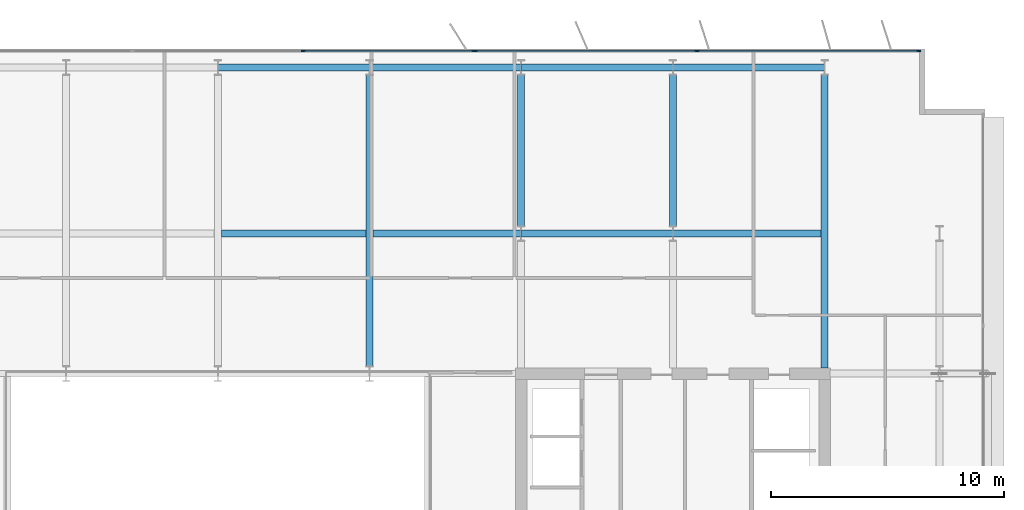
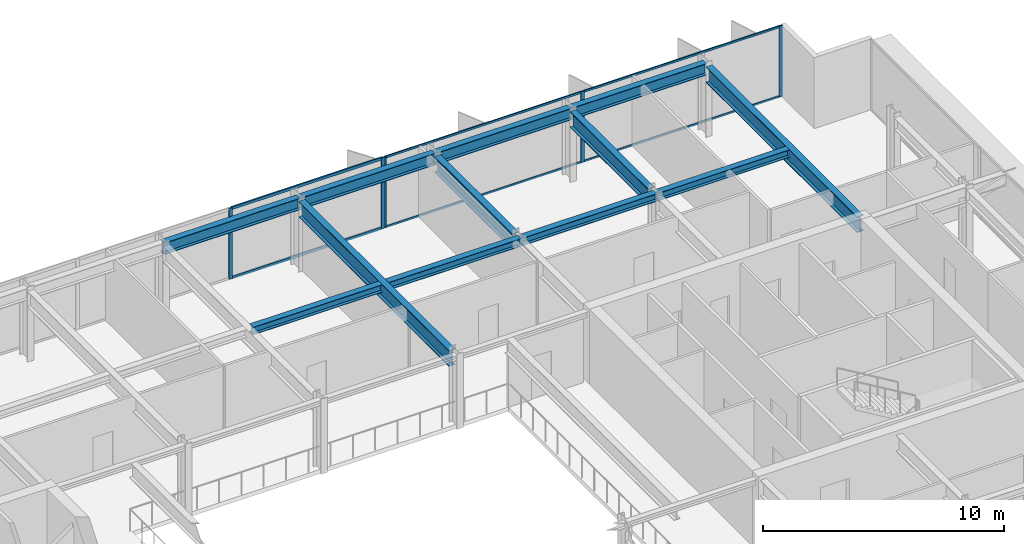
# One storey, part 9 of 20: 12 beams, 11 members, 2 elements without a shape of their own.
"""IFC4 building model written with IfcOpenShell, lengths in metres."""

from ifc_helpers import new_model, si_unit, direction, frame, origin, origin_2d, place, context, subcontext, project, spatial, rectangle, i_section, extrude, material, layer, layer_set, material_profile, profile_set, type_object, element, aggregate, save


model = new_model("IFC4")

# Units and contexts
model_context = context("Model", 3, precision=1e-05, world=origin(), true_north=direction((0.0, 1.0)))
body_context = subcontext(model_context, "Body", "Model", "MODEL_VIEW")
ifc_project = project(units=[si_unit("LENGTHUNIT", "METRE"), si_unit("AREAUNIT", "SQUARE_METRE"), si_unit("VOLUMEUNIT", "CUBIC_METRE"), si_unit("PLANEANGLEUNIT", "RADIAN"), si_unit("MASSUNIT", "GRAM", prefix="KILO")], contexts=[model_context])

# Site, building, storey
site_placement = place(None, origin())
site = spatial("IfcSite", under=ifc_project, at=site_placement, CompositionType="ELEMENT")
building_placement = place(site_placement, origin())
building = spatial("IfcBuilding", under=site, at=building_placement, Name="Putna Gate Headquarters", CompositionType="ELEMENT")
storey_placement = place(building_placement, frame((0.0, 0.0, 274.60009765625)))
storey = spatial("IfcBuildingStorey", under=building, at=storey_placement, Name="L69", CompositionType="ELEMENT", Elevation=274.60009765625)

# Beams
ifc_material_1 = material(Name="Steel S355J2", Category="steel")
ifc_material_profile_1 = material_profile(ifc_material_1, i_section(OverallWidth=0.300048828125, OverallDepth=0.800048828125, WebThickness=0.017578125, FlangeThickness=0.032958984375, at=origin_2d()), Name="Steel S355J2")
ifc_profile_set_1 = profile_set([ifc_material_profile_1], Name="Steel S355J2")
beam_type_1 = type_object("IfcBeamType", Name="BM-GIRD-P-HEB800", PredefinedType="USERDEFINED", material=ifc_profile_set_1)
beam_1_placement = place(storey_placement, frame((45.5, 33.322021484375, 3.18798828125), z_axis=(0.0, 1.0, 0.0), x_axis=(-1.0, 0.0, 0.0)))
element("IfcBeam", 1, at=beam_1_placement, inside=storey, type_object=beam_type_1, Name="L69 North Primary Girder X45", ObjectType="GIRDER", PredefinedType="USERDEFINED", context=body_context, shape_type="SweptSolid", body=[
    extrude(i_section(OverallWidth=0.300048828125, OverallDepth=0.800048828125, WebThickness=0.017578125, FlangeThickness=0.032958984375, at=origin_2d()), origin(), (0.0, 0.0, 1.0), 12.47607421875),
])
for number, where, z_axis, x_axis, name in (
    (2, (52.0, 39.322021484375, 3.18798828125), (0.0, 1.0, 0.0), (-1.0, 0.0, 0.0), "L69 North Primary Girder X52-2"),
    (3, (58.5, 39.322021484375, 3.18798828125), (0.0, 1.0, 0.0), (-1.0, 0.0, 0.0), "L69 North Primary Girder X58-2"),
):
    element("IfcBeam", number, at=place(storey_placement, frame(where, z_axis=z_axis, x_axis=x_axis)), inside=storey, type_object=beam_type_1, Name=name, ObjectType="GIRDER", PredefinedType="USERDEFINED", context=body_context, shape_type="SweptSolid", body=[
        extrude(i_section(OverallWidth=0.300048828125, OverallDepth=0.800048828125, WebThickness=0.017578125, FlangeThickness=0.032958984375, at=origin_2d()), origin(), (0.0, 0.0, 1.0), 6.47607421875),
    ])
beam_2_placement = place(storey_placement, frame((65.0, 33.235107421875, 3.18798828125), z_axis=(0.0, 1.0, 0.0), x_axis=(-1.0, 0.0, 0.0)))
element("IfcBeam", 4, at=beam_2_placement, inside=storey, type_object=beam_type_1, Name="L69 North Primary Girder X65", ObjectType="GIRDER", PredefinedType="USERDEFINED", context=body_context, shape_type="SweptSolid", body=[
    extrude(i_section(OverallWidth=0.300048828125, OverallDepth=0.800048828125, WebThickness=0.017578125, FlangeThickness=0.032958984375, at=origin_2d()), origin(), (0.0, 0.0, 1.0), 12.56298828125),
])
ifc_material_profile_2 = material_profile(ifc_material_1, i_section(OverallWidth=0.300048828125, OverallDepth=0.389892578125, WebThickness=0.010986328125, FlangeThickness=0.01904296875, at=origin_2d()), Name="Steel S355J2")
ifc_profile_set_2 = profile_set([ifc_material_profile_2], Name="Steel S355J2")
beam_type_2 = type_object("IfcBeamType", Name="BM-SEC-Z5-HEA400", PredefinedType="BEAM", material=ifc_profile_set_2)
beam_3_placement = place(storey_placement, frame((39.154052734375, 39.0, 3.392822265625), z_axis=(1.0, 0.0, 0.0), x_axis=(0.0, 1.0, 0.0)))
element("IfcBeam", 5, at=beam_3_placement, inside=storey, type_object=beam_type_2, Name="L69 North Secondary Beam 5", PredefinedType="BEAM", context=body_context, shape_type="SweptSolid", body=[
    extrude(i_section(OverallWidth=0.300048828125, OverallDepth=0.389892578125, WebThickness=0.010986328125, FlangeThickness=0.01904296875, at=origin_2d()), origin(), (0.0, 0.0, 1.0), 6.19189453125),
])
beam_4_placement = place(storey_placement, frame((45.654052734375, 39.0, 3.392822265625), z_axis=(1.0, 0.0, 0.0), x_axis=(0.0, 1.0, 0.0)))
element("IfcBeam", 6, at=beam_4_placement, inside=storey, type_object=beam_type_2, Name="L69 North Secondary Beam 6", PredefinedType="BEAM", context=body_context, shape_type="SweptSolid", body=[
    extrude(i_section(OverallWidth=0.300048828125, OverallDepth=0.389892578125, WebThickness=0.010986328125, FlangeThickness=0.01904296875, at=origin_2d()), origin(), (0.0, 0.0, 1.0), 6.33984375),
])
beam_5_placement = place(storey_placement, frame((52.006103515625, 39.0, 3.392822265625), z_axis=(1.0, 0.0, 0.0), x_axis=(0.0, 1.0, 0.0)))
element("IfcBeam", 7, at=beam_5_placement, inside=storey, type_object=beam_type_2, Name="L69 North Secondary Beam 7", PredefinedType="BEAM", context=body_context, shape_type="SweptSolid", body=[
    extrude(i_section(OverallWidth=0.300048828125, OverallDepth=0.389892578125, WebThickness=0.010986328125, FlangeThickness=0.01904296875, at=origin_2d()), origin(), (0.0, 0.0, 1.0), 6.48779296875),
])
beam_6_placement = place(storey_placement, frame((58.506103515625, 39.0, 3.392822265625), z_axis=(1.0, 0.0, 0.0), x_axis=(0.0, 1.0, 0.0)))
element("IfcBeam", 8, at=beam_6_placement, inside=storey, type_object=beam_type_2, Name="L69 North Secondary Beam 8", PredefinedType="BEAM", context=body_context, shape_type="SweptSolid", body=[
    extrude(i_section(OverallWidth=0.300048828125, OverallDepth=0.389892578125, WebThickness=0.010986328125, FlangeThickness=0.01904296875, at=origin_2d()), origin(), (0.0, 0.0, 1.0), 6.33984375),
])
ifc_material_profile_3 = material_profile(ifc_material_1, i_section(OverallWidth=0.300048828125, OverallDepth=0.590087890625, WebThickness=0.012939453125, FlangeThickness=0.02490234375, at=origin_2d()), Name="Steel S355J2")
ifc_profile_set_3 = profile_set([ifc_material_profile_3], Name="Steel S355J2")
beam_type_3 = type_object("IfcBeamType", Name="BM-SPAN-Z4-HEA600", PredefinedType="SPANDREL", material=ifc_profile_set_3)
for number, where, z_axis, x_axis, name in (
    (9, (39.006103515625, 46.1201171875, 3.29296875), (1.0, 0.0, 0.0), (0.0, 1.0, 0.0), "L69 N Perimeter Spandrel 5"),
    (10, (45.506103515625, 46.1201171875, 3.29296875), (1.0, 0.0, 0.0), (0.0, 1.0, 0.0), "L69 N Perimeter Spandrel 6"),
    (11, (52.006103515625, 46.1201171875, 3.29296875), (1.0, 0.0, 0.0), (0.0, 1.0, 0.0), "L69 N Perimeter Spandrel 7"),
    (12, (58.506103515625, 46.1201171875, 3.29296875), (1.0, 0.0, 0.0), (0.0, 1.0, 0.0), "L69 N Perimeter Spandrel 8"),
):
    element("IfcBeam", number, at=place(storey_placement, frame(where, z_axis=z_axis, x_axis=x_axis)), inside=storey, type_object=beam_type_3, Name=name, PredefinedType="SPANDREL", context=body_context, shape_type="SweptSolid", body=[
        extrude(i_section(OverallWidth=0.300048828125, OverallDepth=0.590087890625, WebThickness=0.012939453125, FlangeThickness=0.02490234375, at=origin_2d()), origin(), (0.0, 0.0, 1.0), 6.48779296875),
    ])

# Curtain wall, members
ifc_material_2 = material(Name="Anodised bronze aluminium curtain wall", Category="aluminium")
ifc_layer_1 = layer(ifc_material_2, 0.179931640625)
ifc_layer_set_1 = layer_set([ifc_layer_1], Name="Anodised bronze aluminium curtain wall")
curtain_wall_type_1 = type_object("IfcCurtainWallType", Name="CW-SYS-Z5", PredefinedType="USERDEFINED", material=ifc_layer_set_1)
curtain_wall_1_placement = place(storey_placement, origin())
curtain_wall_1 = element("IfcCurtainWall", 13, at=curtain_wall_1_placement, inside=storey, type_object=curtain_wall_type_1, Name="L69 North East Curtain Wall", ObjectType="STICK CURTAIN WALL", PredefinedType="USERDEFINED")
ifc_material_3 = material(Name="Anodised bronze aluminium EN AW-6060", Category="aluminium")
ifc_material_profile_4 = material_profile(ifc_material_3, rectangle(XDim=0.070068359375, YDim=0.179931640625, at=origin_2d()), Name="Anodised bronze aluminium EN AW-6060")
ifc_profile_set_4 = profile_set([ifc_material_profile_4], Name="Anodised bronze aluminium EN AW-6060")
member_type_1 = type_object("IfcMemberType", Name="MULL-CWM-5", PredefinedType="MULLION", material=ifc_profile_set_4)
member_1_placement = place(storey_placement, frame((50.034912109375, 46.820068359375, 0.0), z_axis=(0.0, 0.0, 1.0), x_axis=(0.0, 1.0, 0.0)))
member_1 = element("IfcMember", 14, at=member_1_placement, type_object=member_type_1, Name="CWS-5 mullion 1", PredefinedType="MULLION", context=body_context, shape_type="SweptSolid", body=[
    extrude(rectangle(XDim=0.070068359375, YDim=0.179931640625, at=origin_2d()), origin(), (0.0, 0.0, 1.0), 3.587890625),
])
member_2_placement = place(storey_placement, frame((59.532470703125, 46.820068359375, 0.0), z_axis=(0.0, 0.0, 1.0), x_axis=(0.0, 1.0, 0.0)))
member_2 = element("IfcMember", 15, at=member_2_placement, type_object=member_type_1, Name="CWS-5 mullion 2", PredefinedType="MULLION", context=body_context, shape_type="SweptSolid", body=[
    extrude(rectangle(XDim=0.070068359375, YDim=0.179931640625, at=origin_2d()), origin(), (0.0, 0.0, 1.0), 3.587890625),
])
member_3_placement = place(storey_placement, frame((69.02978515625, 46.820068359375, 0.0), z_axis=(0.0, 0.0, 1.0), x_axis=(0.0, 1.0, 0.0)))
member_3 = element("IfcMember", 16, at=member_3_placement, type_object=member_type_1, Name="CWS-5 mullion 3", PredefinedType="MULLION", context=body_context, shape_type="SweptSolid", body=[
    extrude(rectangle(XDim=0.070068359375, YDim=0.179931640625, at=origin_2d()), origin(), (0.0, 0.0, 1.0), 3.587890625),
])

ifc_layer_2 = layer(ifc_material_2, 0.179931640625)
ifc_layer_set_2 = layer_set([ifc_layer_2], Name="Anodised bronze aluminium curtain wall")
curtain_wall_type_2 = type_object("IfcCurtainWallType", Name="CW-SYS-ATR", PredefinedType="USERDEFINED", material=ifc_layer_set_2)
curtain_wall_2_placement = place(storey_placement, origin())
curtain_wall_2 = element("IfcCurtainWall", 17, at=curtain_wall_2_placement, inside=storey, type_object=curtain_wall_type_2, Name="L69 North Atrium Clear Glazing", ObjectType="ATRIUM GLAZING", PredefinedType="USERDEFINED")
ifc_material_profile_5 = material_profile(ifc_material_3, rectangle(XDim=0.070068359375, YDim=0.179931640625, at=origin_2d()), Name="Anodised bronze aluminium EN AW-6060")
ifc_profile_set_5 = profile_set([ifc_material_profile_5], Name="Anodised bronze aluminium EN AW-6060")
member_type_2 = type_object("IfcMemberType", Name="MULL-CWM-AT", PredefinedType="MULLION", material=ifc_profile_set_5)
member_4_placement = place(storey_placement, frame((42.666748046875, 46.820068359375, 0.0), z_axis=(0.0, 0.0, 1.0), x_axis=(0.0, 1.0, 0.0)))
member_4 = element("IfcMember", 18, at=member_4_placement, type_object=member_type_2, Name="CWS-AT mullion 3", PredefinedType="MULLION", context=body_context, shape_type="SweptSolid", body=[
    extrude(rectangle(XDim=0.070068359375, YDim=0.179931640625, at=origin_2d()), origin(), (0.0, 0.0, 1.0), 3.587890625),
])
member_5_placement = place(storey_placement, frame((49.965087890625, 46.820068359375, 0.0), z_axis=(0.0, 0.0, 1.0), x_axis=(0.0, 1.0, 0.0)))
member_5 = element("IfcMember", 19, at=member_5_placement, type_object=member_type_2, Name="CWS-AT mullion 4", PredefinedType="MULLION", context=body_context, shape_type="SweptSolid", body=[
    extrude(rectangle(XDim=0.070068359375, YDim=0.179931640625, at=origin_2d()), origin(), (0.0, 0.0, 1.0), 3.587890625),
])

# Member
ifc_material_profile_6 = material_profile(ifc_material_3, rectangle(XDim=0.06005859375, YDim=0.10009765625, at=origin_2d()), Name="Anodised bronze aluminium EN AW-6060")
ifc_profile_set_6 = profile_set([ifc_material_profile_6], Name="Anodised bronze aluminium EN AW-6060")
member_type_3 = type_object("IfcMemberType", Name="TRAN-CWT-5", PredefinedType="USERDEFINED", material=ifc_profile_set_6)
member_6_placement = place(storey_placement, frame((50.070068359375, 46.820068359375, 0.02978515625), z_axis=(1.0, 0.0, 0.0), x_axis=(0.0, 1.0, 0.0)))
member_6 = element("IfcMember", 20, at=member_6_placement, type_object=member_type_3, Name="CWS-5 transom 1.1", ObjectType="TRANSOM", PredefinedType="USERDEFINED", context=body_context, shape_type="SweptSolid", body=[
    extrude(rectangle(XDim=0.06005859375, YDim=0.10009765625, at=origin_2d()), origin(), (0.0, 0.0, 1.0), 9.427490234375),
])

member_7_placement = place(storey_placement, frame((50.070068359375, 46.820068359375, 3.557861328125), z_axis=(1.0, 0.0, 0.0), x_axis=(0.0, 1.0, 0.0)))
member_7 = element("IfcMember", 21, at=member_7_placement, type_object=member_type_3, Name="CWS-5 transom 1.2", ObjectType="TRANSOM", PredefinedType="USERDEFINED", context=body_context, shape_type="SweptSolid", body=[
    extrude(rectangle(XDim=0.06005859375, YDim=0.10009765625, at=origin_2d()), origin(), (0.0, 0.0, 1.0), 9.427490234375),
])

member_8_placement = place(storey_placement, frame((59.5673828125, 46.820068359375, 0.02978515625), z_axis=(1.0, 0.0, 0.0), x_axis=(0.0, 1.0, 0.0)))
member_8 = element("IfcMember", 22, at=member_8_placement, type_object=member_type_3, Name="CWS-5 transom 2.1", ObjectType="TRANSOM", PredefinedType="USERDEFINED", context=body_context, shape_type="SweptSolid", body=[
    extrude(rectangle(XDim=0.06005859375, YDim=0.10009765625, at=origin_2d()), origin(), (0.0, 0.0, 1.0), 9.427490234375),
])

member_9_placement = place(storey_placement, frame((59.5673828125, 46.820068359375, 3.557861328125), z_axis=(1.0, 0.0, 0.0), x_axis=(0.0, 1.0, 0.0)))
member_9 = element("IfcMember", 23, at=member_9_placement, type_object=member_type_3, Name="CWS-5 transom 2.2", ObjectType="TRANSOM", PredefinedType="USERDEFINED", context=body_context, shape_type="SweptSolid", body=[
    extrude(rectangle(XDim=0.06005859375, YDim=0.10009765625, at=origin_2d()), origin(), (0.0, 0.0, 1.0), 9.427490234375),
])

aggregate(curtain_wall_1, [member_1, member_2, member_3, member_6, member_7, member_8, member_9])

ifc_material_profile_7 = material_profile(ifc_material_3, rectangle(XDim=0.070068359375, YDim=0.139892578125, at=origin_2d()), Name="Anodised bronze aluminium EN AW-6060")
ifc_profile_set_7 = profile_set([ifc_material_profile_7], Name="Anodised bronze aluminium EN AW-6060")
member_type_4 = type_object("IfcMemberType", Name="TRAN-CWT-AT", PredefinedType="USERDEFINED", material=ifc_profile_set_7)
member_10_placement = place(storey_placement, frame((42.70166015625, 46.820068359375, 0.034912109375), z_axis=(1.0, 0.0, 0.0), x_axis=(0.0, 1.0, 0.0)))
member_10 = element("IfcMember", 24, at=member_10_placement, type_object=member_type_4, Name="CWS-AT transom 3.1", ObjectType="TRANSOM", PredefinedType="USERDEFINED", context=body_context, shape_type="SweptSolid", body=[
    extrude(rectangle(XDim=0.070068359375, YDim=0.139892578125, at=origin_2d()), origin(), (0.0, 0.0, 1.0), 7.228271484375),
])

member_11_placement = place(storey_placement, frame((42.70166015625, 46.820068359375, 3.552978515625), z_axis=(1.0, 0.0, 0.0), x_axis=(0.0, 1.0, 0.0)))
member_11 = element("IfcMember", 25, at=member_11_placement, type_object=member_type_4, Name="CWS-AT transom 3.2", ObjectType="TRANSOM", PredefinedType="USERDEFINED", context=body_context, shape_type="SweptSolid", body=[
    extrude(rectangle(XDim=0.070068359375, YDim=0.139892578125, at=origin_2d()), origin(), (0.0, 0.0, 1.0), 7.228271484375),
])

aggregate(curtain_wall_2, [member_4, member_5, member_10, member_11])

save(model, "model.ifc")
